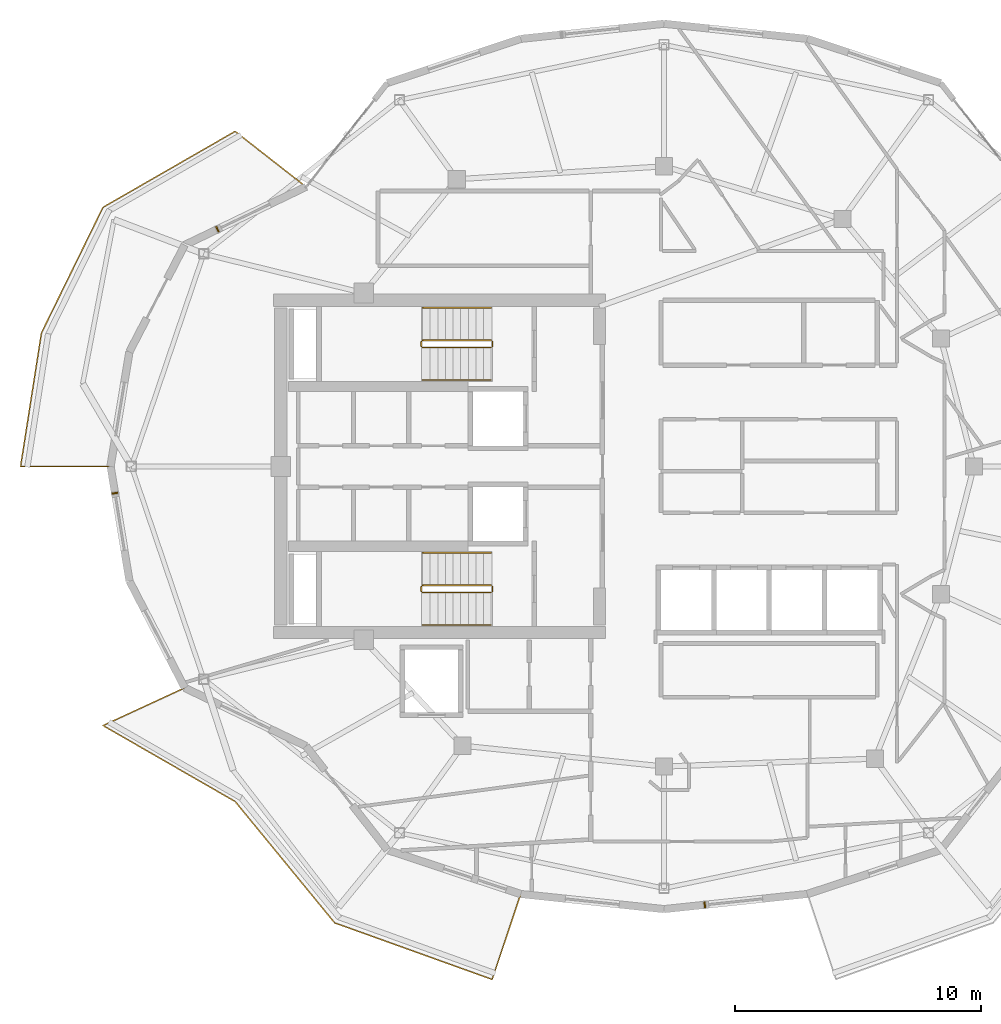
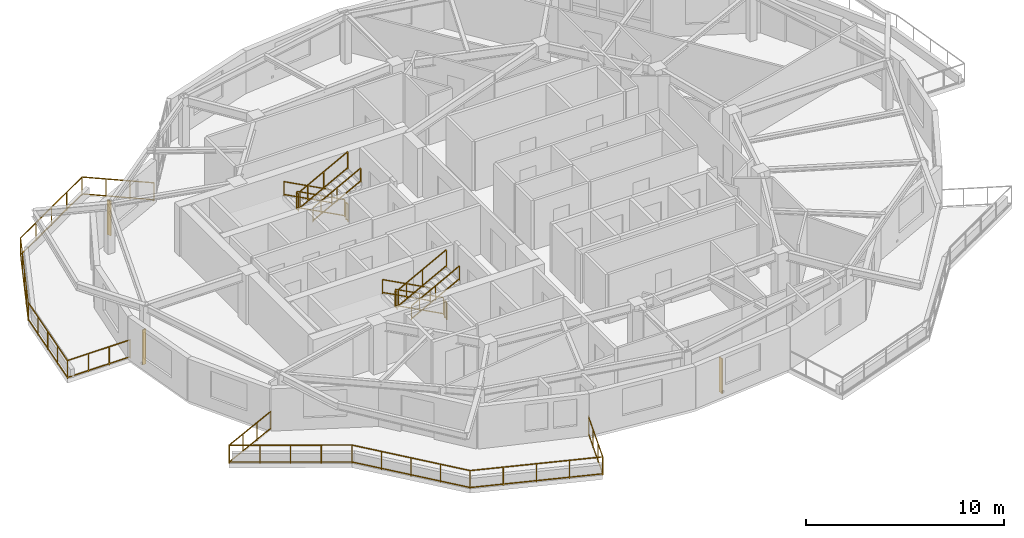
# One storey, part 12 of 14: 14 railings, 3 shading devices.
"""IFC4 building model written with IfcOpenShell, lengths in metres."""

from ifc_helpers import new_model, si_unit, direction, frame, origin, origin_2d, place, context, subcontext, project, spatial, rectangle, extrude, material, type_object, element, save


model = new_model("IFC4")

# Units and contexts
model_context = context("Model", 3, precision=1e-05, world=origin(), true_north=direction((0.0, 1.0)))
body_context = subcontext(model_context, "Body", "Model", "MODEL_VIEW")
ifc_project = project(units=[si_unit("LENGTHUNIT", "METRE"), si_unit("AREAUNIT", "SQUARE_METRE"), si_unit("VOLUMEUNIT", "CUBIC_METRE"), si_unit("PLANEANGLEUNIT", "RADIAN"), si_unit("MASSUNIT", "GRAM", prefix="KILO")], contexts=[model_context])

# Site, building, storey
site_placement = place(None, origin())
site = spatial("IfcSite", under=ifc_project, at=site_placement, CompositionType="ELEMENT")
building_placement = place(site_placement, origin())
building = spatial("IfcBuilding", under=site, at=building_placement, Name="Kolvaren Gate Tower and Convention Centre", CompositionType="ELEMENT")
storey_placement = place(building_placement, frame((0.0, 0.0, 245.89990234375)))
storey = spatial("IfcBuildingStorey", under=building, at=storey_placement, Name="L66", CompositionType="ELEMENT", Elevation=245.89990234375)

# Railings
ifc_material_1 = material(Name="Brushed Stainless Steel Grade 316L", Category="steel")
railing_type_1 = type_object("IfcRailingType", Name="ARCH-RL-GUARD-1150", PredefinedType="GUARDRAIL", material=ifc_material_1)
railing_1_placement = place(storey_placement, frame((23.10009765625, 32.1298828125, 0.1650390625)))
element("IfcRailing", 1, at=railing_1_placement, inside=storey, type_object=railing_type_1, Name="L66 ST-T1 stair guard 1", PredefinedType="GUARDRAIL", context=body_context, shape_type="SweptSolid", body=[
    extrude(rectangle(XDim=0.048095703125, YDim=0.048095703125, at=origin_2d()), frame((0.0, 0.0, 1.076171875), z_axis=(-0.882735390775, 0.0, 0.469870439454), x_axis=(0.0, -1.0, 0.0)), (0.0, 0.0, 1.0), 3.16064453125),
    extrude(rectangle(XDim=0.048095703125, YDim=0.048095703125, at=origin_2d()), frame((0.0, 0.0, 0.083984375), z_axis=(-0.882735390775, 0.0, 0.469870439454), x_axis=(0.0, -1.0, 0.0)), (0.0, 0.0, 1.0), 3.16064453125),
    extrude(rectangle(XDim=0.0419921875, YDim=0.0419921875, at=origin_2d()), origin(), (0.0, 0.0, 1.0), 1.050048828125),
    extrude(rectangle(XDim=0.0419921875, YDim=0.0419921875, at=origin_2d()), frame((-2.7900390625, 0.0, 1.485107421875)), (0.0, 0.0, 1.0), 1.050048828125),
    extrude(rectangle(XDim=0.0419921875, YDim=0.0419921875, at=origin_2d()), frame((-1.39501953125, 0.0, 0.74267578125)), (0.0, 0.0, 1.0), 1.050048828125),
])
railing_2_placement = place(storey_placement, frame((20.260009765625, 32.080078125, 1.650146484375)))
element("IfcRailing", 2, at=railing_2_placement, inside=storey, type_object=railing_type_1, Name="L66 ST-T1 stair guard 2", PredefinedType="GUARDRAIL", context=body_context, shape_type="SweptSolid", body=[
    extrude(rectangle(XDim=0.048095703125, YDim=0.048095703125, at=origin_2d()), frame((0.0, 0.0, 1.076171875), z_axis=(0.0, -1.0, 0.0), x_axis=(1.0, 0.0, 0.0)), (0.0, 0.0, 1.0), 0.2001953125),
    extrude(rectangle(XDim=0.048095703125, YDim=0.048095703125, at=origin_2d()), frame((0.0, 0.0, 0.083984375), z_axis=(0.0, -1.0, 0.0), x_axis=(1.0, 0.0, 0.0)), (0.0, 0.0, 1.0), 0.2001953125),
    extrude(rectangle(XDim=0.0419921875, YDim=0.0419921875, at=origin_2d()), origin(), (0.0, 0.0, 1.0), 1.050048828125),
    extrude(rectangle(XDim=0.0419921875, YDim=0.0419921875, at=origin_2d()), frame((0.0, -0.2001953125, 0.0)), (0.0, 0.0, 1.0), 1.050048828125),
])
railing_3_placement = place(storey_placement, frame((20.31005859375, 31.830078125, 1.815185546875)))
element("IfcRailing", 3, at=railing_3_placement, inside=storey, type_object=railing_type_1, Name="L66 ST-T1 stair guard 3", PredefinedType="GUARDRAIL", context=body_context, shape_type="SweptSolid", body=[
    extrude(rectangle(XDim=0.048095703125, YDim=0.048095703125, at=origin_2d()), frame((0.0, 0.0, 1.076171875), z_axis=(0.882767428149, 0.0, 0.469810246588), x_axis=(0.0, 1.0, 0.0)), (0.0, 0.0, 1.0), 3.16064453125),
    extrude(rectangle(XDim=0.048095703125, YDim=0.048095703125, at=origin_2d()), frame((0.0, 0.0, 0.083984375), z_axis=(0.882767428149, 0.0, 0.469810246588), x_axis=(0.0, 1.0, 0.0)), (0.0, 0.0, 1.0), 3.16064453125),
    extrude(rectangle(XDim=0.0419921875, YDim=0.0419921875, at=origin_2d()), origin(), (0.0, 0.0, 1.0), 1.050048828125),
    extrude(rectangle(XDim=0.0419921875, YDim=0.0419921875, at=origin_2d()), frame((2.7900390625, 0.0, 1.48486328125)), (0.0, 0.0, 1.0), 1.050048828125),
    extrude(rectangle(XDim=0.0419921875, YDim=0.0419921875, at=origin_2d()), frame((1.39501953125, 0.0, 0.742431640625)), (0.0, 0.0, 1.0), 1.050048828125),
])
railing_4_placement = place(storey_placement, frame((23.14990234375, 32.080078125, 0.0)))
element("IfcRailing", 4, at=railing_4_placement, inside=storey, type_object=railing_type_1, Name="L66 ST-T1 stair guard 4", PredefinedType="GUARDRAIL", context=body_context, shape_type="SweptSolid", body=[
    extrude(rectangle(XDim=0.048095703125, YDim=0.048095703125, at=origin_2d()), frame((0.0, 0.0, 1.076171875), z_axis=(0.0, -1.0, 0.0), x_axis=(1.0, 0.0, 0.0)), (0.0, 0.0, 1.0), 0.2001953125),
    extrude(rectangle(XDim=0.048095703125, YDim=0.048095703125, at=origin_2d()), frame((0.0, 0.0, 0.083984375), z_axis=(0.0, -1.0, 0.0), x_axis=(1.0, 0.0, 0.0)), (0.0, 0.0, 1.0), 0.2001953125),
    extrude(rectangle(XDim=0.0419921875, YDim=0.0419921875, at=origin_2d()), origin(), (0.0, 0.0, 1.0), 1.050048828125),
    extrude(rectangle(XDim=0.0419921875, YDim=0.0419921875, at=origin_2d()), frame((0.0, -0.2001953125, 0.0)), (0.0, 0.0, 1.0), 1.050048828125),
])
railing_5_placement = place(storey_placement, frame((23.10009765625, 22.169921875, 0.1650390625)))
element("IfcRailing", 5, at=railing_5_placement, inside=storey, type_object=railing_type_1, Name="L66 ST-T2 stair guard 1", PredefinedType="GUARDRAIL", context=body_context, shape_type="SweptSolid", body=[
    extrude(rectangle(XDim=0.048095703125, YDim=0.048095703125, at=origin_2d()), frame((0.0, 0.0, 1.076171875), z_axis=(-0.882735390775, 0.0, 0.469870439454), x_axis=(0.0, -1.0, 0.0)), (0.0, 0.0, 1.0), 3.16064453125),
    extrude(rectangle(XDim=0.048095703125, YDim=0.048095703125, at=origin_2d()), frame((0.0, 0.0, 0.083984375), z_axis=(-0.882735390775, 0.0, 0.469870439454), x_axis=(0.0, -1.0, 0.0)), (0.0, 0.0, 1.0), 3.16064453125),
    extrude(rectangle(XDim=0.0419921875, YDim=0.0419921875, at=origin_2d()), origin(), (0.0, 0.0, 1.0), 1.050048828125),
    extrude(rectangle(XDim=0.0419921875, YDim=0.0419921875, at=origin_2d()), frame((-2.7900390625, 0.0, 1.485107421875)), (0.0, 0.0, 1.0), 1.050048828125),
    extrude(rectangle(XDim=0.0419921875, YDim=0.0419921875, at=origin_2d()), frame((-1.39501953125, 0.0, 0.74267578125)), (0.0, 0.0, 1.0), 1.050048828125),
])
railing_6_placement = place(storey_placement, frame((20.260009765625, 22.1201171875, 1.650146484375)))
element("IfcRailing", 6, at=railing_6_placement, inside=storey, type_object=railing_type_1, Name="L66 ST-T2 stair guard 2", PredefinedType="GUARDRAIL", context=body_context, shape_type="SweptSolid", body=[
    extrude(rectangle(XDim=0.048095703125, YDim=0.048095703125, at=origin_2d()), frame((0.0, 0.0, 1.076171875), z_axis=(0.0, -1.0, 0.0), x_axis=(1.0, 0.0, 0.0)), (0.0, 0.0, 1.0), 0.2001953125),
    extrude(rectangle(XDim=0.048095703125, YDim=0.048095703125, at=origin_2d()), frame((0.0, 0.0, 0.083984375), z_axis=(0.0, -1.0, 0.0), x_axis=(1.0, 0.0, 0.0)), (0.0, 0.0, 1.0), 0.2001953125),
    extrude(rectangle(XDim=0.0419921875, YDim=0.0419921875, at=origin_2d()), origin(), (0.0, 0.0, 1.0), 1.050048828125),
    extrude(rectangle(XDim=0.0419921875, YDim=0.0419921875, at=origin_2d()), frame((0.0, -0.2001953125, 0.0)), (0.0, 0.0, 1.0), 1.050048828125),
])
railing_7_placement = place(storey_placement, frame((20.31005859375, 21.8701171875, 1.815185546875)))
element("IfcRailing", 7, at=railing_7_placement, inside=storey, type_object=railing_type_1, Name="L66 ST-T2 stair guard 3", PredefinedType="GUARDRAIL", context=body_context, shape_type="SweptSolid", body=[
    extrude(rectangle(XDim=0.048095703125, YDim=0.048095703125, at=origin_2d()), frame((0.0, 0.0, 1.076171875), z_axis=(0.882767428149, 0.0, 0.469810246588), x_axis=(0.0, 1.0, 0.0)), (0.0, 0.0, 1.0), 3.16064453125),
    extrude(rectangle(XDim=0.048095703125, YDim=0.048095703125, at=origin_2d()), frame((0.0, 0.0, 0.083984375), z_axis=(0.882767428149, 0.0, 0.469810246588), x_axis=(0.0, 1.0, 0.0)), (0.0, 0.0, 1.0), 3.16064453125),
    extrude(rectangle(XDim=0.0419921875, YDim=0.0419921875, at=origin_2d()), origin(), (0.0, 0.0, 1.0), 1.050048828125),
    extrude(rectangle(XDim=0.0419921875, YDim=0.0419921875, at=origin_2d()), frame((2.7900390625, 0.0, 1.48486328125)), (0.0, 0.0, 1.0), 1.050048828125),
    extrude(rectangle(XDim=0.0419921875, YDim=0.0419921875, at=origin_2d()), frame((1.39501953125, 0.0, 0.742431640625)), (0.0, 0.0, 1.0), 1.050048828125),
])
railing_8_placement = place(storey_placement, frame((23.14990234375, 22.1201171875, 0.0)))
element("IfcRailing", 8, at=railing_8_placement, inside=storey, type_object=railing_type_1, Name="L66 ST-T2 stair guard 4", PredefinedType="GUARDRAIL", context=body_context, shape_type="SweptSolid", body=[
    extrude(rectangle(XDim=0.048095703125, YDim=0.048095703125, at=origin_2d()), frame((0.0, 0.0, 1.076171875), z_axis=(0.0, -1.0, 0.0), x_axis=(1.0, 0.0, 0.0)), (0.0, 0.0, 1.0), 0.2001953125),
    extrude(rectangle(XDim=0.048095703125, YDim=0.048095703125, at=origin_2d()), frame((0.0, 0.0, 0.083984375), z_axis=(0.0, -1.0, 0.0), x_axis=(1.0, 0.0, 0.0)), (0.0, 0.0, 1.0), 0.2001953125),
    extrude(rectangle(XDim=0.0419921875, YDim=0.0419921875, at=origin_2d()), origin(), (0.0, 0.0, 1.0), 1.050048828125),
    extrude(rectangle(XDim=0.0419921875, YDim=0.0419921875, at=origin_2d()), frame((0.0, -0.2001953125, 0.0)), (0.0, 0.0, 1.0), 1.050048828125),
])
railing_9_placement = place(storey_placement, frame((15.57275390625, 38.370361328125, 0.0)))
element("IfcRailing", 9, at=railing_9_placement, inside=storey, type_object=railing_type_1, Name="Tower L66 Terrace Perimeter Guardrail GR-2", PredefinedType="GUARDRAIL", context=body_context, shape_type="SweptSolid", body=[
    extrude(rectangle(XDim=0.048095703125, YDim=0.048095703125, at=origin_2d()), frame((-0.022216796875, 0.017333984375, 1.1259765625), z_axis=(-0.787988976981, 0.61568934712, 0.0), x_axis=(-0.61568934712, -0.787988976981, 0.0)), (0.0, 0.0, 1.0), 3.60400390625),
    extrude(rectangle(XDim=0.048095703125, YDim=0.048095703125, at=origin_2d()), frame((-0.022216796875, 0.017333984375, 0.083984375), z_axis=(-0.787988976981, 0.61568934712, 0.0), x_axis=(-0.61568934712, -0.787988976981, 0.0)), (0.0, 0.0, 1.0), 3.60400390625),
    extrude(rectangle(XDim=0.048095703125, YDim=0.048095703125, at=origin_2d()), frame((-2.908447265625, 2.239501953125, 1.1259765625), z_axis=(-0.866894385595, -0.498491849706, 0.0), x_axis=(0.498491849706, -0.866894385595, 0.0)), (0.0, 0.0, 1.0), 6.140869140625),
    extrude(rectangle(XDim=0.048095703125, YDim=0.048095703125, at=origin_2d()), frame((-2.908447265625, 2.239501953125, 0.083984375), z_axis=(-0.866894385595, -0.498491849706, 0.0), x_axis=(0.498491849706, -0.866894385595, 0.0)), (0.0, 0.0, 1.0), 6.140869140625),
    extrude(rectangle(XDim=0.048095703125, YDim=0.048095703125, at=origin_2d()), frame((-8.2685546875, -0.86083984375, 1.1259765625), z_axis=(-0.440058847499, -0.897968936399, 0.0), x_axis=(0.897968936399, -0.440058847499, 0.0)), (0.0, 0.0, 1.0), 5.63330078125),
    extrude(rectangle(XDim=0.048095703125, YDim=0.048095703125, at=origin_2d()), frame((-8.2685546875, -0.86083984375, 0.083984375), z_axis=(-0.440058847499, -0.897968936399, 0.0), x_axis=(0.897968936399, -0.440058847499, 0.0)), (0.0, 0.0, 1.0), 5.63330078125),
    extrude(rectangle(XDim=0.048095703125, YDim=0.048095703125, at=origin_2d()), frame((-10.76416015625, -5.972412109375, 1.1259765625), z_axis=(-0.1543985789, -0.988008643097, 0.0), x_axis=(0.988008643097, -0.1543985789, 0.0)), (0.0, 0.0, 1.0), 5.435546875),
    extrude(rectangle(XDim=0.048095703125, YDim=0.048095703125, at=origin_2d()), frame((-10.76416015625, -5.972412109375, 0.083984375), z_axis=(-0.1543985789, -0.988008643097, 0.0), x_axis=(0.988008643097, -0.1543985789, 0.0)), (0.0, 0.0, 1.0), 5.435546875),
    extrude(rectangle(XDim=0.048095703125, YDim=0.048095703125, at=origin_2d()), frame((-11.57958984375, -11.370361328125, 1.1259765625), z_axis=(1.0, 0.0, 0.0), x_axis=(0.0, 1.0, 0.0)), (0.0, 0.0, 1.0), 3.603759765625),
    extrude(rectangle(XDim=0.048095703125, YDim=0.048095703125, at=origin_2d()), frame((-11.57958984375, -11.370361328125, 0.083984375), z_axis=(1.0, 0.0, 0.0), x_axis=(0.0, 1.0, 0.0)), (0.0, 0.0, 1.0), 3.603759765625),
    extrude(rectangle(XDim=0.0419921875, YDim=0.0419921875, at=origin_2d()), origin(), (0.0, 0.0, 1.0), 1.14990234375),
    extrude(rectangle(XDim=0.0419921875, YDim=0.0419921875, at=origin_2d()), frame((-2.884033203125, 2.25341796875, 0.0)), (0.0, 0.0, 1.0), 1.14990234375),
    extrude(rectangle(XDim=0.0419921875, YDim=0.0419921875, at=origin_2d()), frame((-0.96142578125, 0.751220703125, 0.0)), (0.0, 0.0, 1.0), 1.099853515625),
    extrude(rectangle(XDim=0.0419921875, YDim=0.0419921875, at=origin_2d()), frame((-1.922607421875, 1.502197265625, 0.0)), (0.0, 0.0, 1.0), 1.099853515625),
    extrude(rectangle(XDim=0.0419921875, YDim=0.0419921875, at=origin_2d()), frame((-8.256103515625, -0.835693359375, 0.0)), (0.0, 0.0, 1.0), 1.14990234375),
    extrude(rectangle(XDim=0.0419921875, YDim=0.0419921875, at=origin_2d()), frame((-4.22705078125, 1.481201171875, 0.0)), (0.0, 0.0, 1.0), 1.099853515625),
    extrude(rectangle(XDim=0.0419921875, YDim=0.0419921875, at=origin_2d()), frame((-5.570068359375, 0.708984375, 0.0)), (0.0, 0.0, 1.0), 1.099853515625),
    extrude(rectangle(XDim=0.0419921875, YDim=0.0419921875, at=origin_2d()), frame((-6.9130859375, -0.0634765625, 0.0)), (0.0, 0.0, 1.0), 1.099853515625),
    extrude(rectangle(XDim=0.0419921875, YDim=0.0419921875, at=origin_2d()), frame((-10.759765625, -5.944580078125, 0.0)), (0.0, 0.0, 1.0), 1.14990234375),
    extrude(rectangle(XDim=0.0419921875, YDim=0.0419921875, at=origin_2d()), frame((-8.882080078125, -2.11279296875, 0.0)), (0.0, 0.0, 1.0), 1.099853515625),
    extrude(rectangle(XDim=0.0419921875, YDim=0.0419921875, at=origin_2d()), frame((-9.5078125, -3.39013671875, 0.0)), (0.0, 0.0, 1.0), 1.099853515625),
    extrude(rectangle(XDim=0.0419921875, YDim=0.0419921875, at=origin_2d()), frame((-10.1337890625, -4.66748046875, 0.0)), (0.0, 0.0, 1.0), 1.099853515625),
    extrude(rectangle(XDim=0.0419921875, YDim=0.0419921875, at=origin_2d()), frame((-11.607666015625, -11.370361328125, 0.0)), (0.0, 0.0, 1.0), 1.14990234375),
    extrude(rectangle(XDim=0.0419921875, YDim=0.0419921875, at=origin_2d()), frame((-10.9716796875, -7.301025390625, 0.0)), (0.0, 0.0, 1.0), 1.099853515625),
    extrude(rectangle(XDim=0.0419921875, YDim=0.0419921875, at=origin_2d()), frame((-11.18359375, -8.657470703125, 0.0)), (0.0, 0.0, 1.0), 1.099853515625),
    extrude(rectangle(XDim=0.0419921875, YDim=0.0419921875, at=origin_2d()), frame((-11.395751953125, -10.013916015625, 0.0)), (0.0, 0.0, 1.0), 1.099853515625),
    extrude(rectangle(XDim=0.0419921875, YDim=0.0419921875, at=origin_2d()), frame((-7.94775390625, -11.370361328125, 0.0)), (0.0, 0.0, 1.0), 1.14990234375),
    extrude(rectangle(XDim=0.0419921875, YDim=0.0419921875, at=origin_2d()), frame((-10.3876953125, -11.370361328125, 0.0)), (0.0, 0.0, 1.0), 1.099853515625),
    extrude(rectangle(XDim=0.0419921875, YDim=0.0419921875, at=origin_2d()), frame((-9.167724609375, -11.370361328125, 0.0)), (0.0, 0.0, 1.0), 1.099853515625),
])
railing_10_placement = place(storey_placement, frame((10.639404296875, 18.0, 0.0)))
element("IfcRailing", 10, at=railing_10_placement, inside=storey, type_object=railing_type_1, Name="Tower L66 Terrace Perimeter Guardrail GR-3", PredefinedType="GUARDRAIL", context=body_context, shape_type="SweptSolid", body=[
    extrude(rectangle(XDim=0.048095703125, YDim=0.048095703125, at=origin_2d()), frame((-0.025390625, -0.01171875, 1.1259765625), z_axis=(-0.907846116663, -0.419303503993, 0.0), x_axis=(0.419303503993, -0.907846116663, 0.0)), (0.0, 0.0, 1.0), 3.60400390625),
    extrude(rectangle(XDim=0.048095703125, YDim=0.048095703125, at=origin_2d()), frame((-0.025390625, -0.01171875, 0.083984375), z_axis=(-0.907846116663, -0.419303503993, 0.0), x_axis=(0.419303503993, -0.907846116663, 0.0)), (0.0, 0.0, 1.0), 3.60400390625),
    extrude(rectangle(XDim=0.048095703125, YDim=0.048095703125, at=origin_2d()), frame((-3.29833984375, -1.548583984375, 1.1259765625), z_axis=(0.866894385595, -0.498491849706, 0.0), x_axis=(0.498491849706, 0.866894385595, 0.0)), (0.0, 0.0, 1.0), 6.140869140625),
    extrude(rectangle(XDim=0.048095703125, YDim=0.048095703125, at=origin_2d()), frame((-3.29833984375, -1.548583984375, 0.083984375), z_axis=(0.866894385595, -0.498491849706, 0.0), x_axis=(0.498491849706, 0.866894385595, 0.0)), (0.0, 0.0, 1.0), 6.140869140625),
    extrude(rectangle(XDim=0.048095703125, YDim=0.048095703125, at=origin_2d()), frame((2.067138671875, -4.6455078125, 1.1259765625), z_axis=(0.634050293942, -0.773291810866, 0.0), x_axis=(0.773291810866, 0.634050293942, 0.0)), (0.0, 0.0, 1.0), 6.322509765625),
    extrude(rectangle(XDim=0.048095703125, YDim=0.048095703125, at=origin_2d()), frame((2.067138671875, -4.6455078125, 0.083984375), z_axis=(0.634050293942, -0.773291810866, 0.0), x_axis=(0.773291810866, 0.634050293942, 0.0)), (0.0, 0.0, 1.0), 6.322509765625),
    extrude(rectangle(XDim=0.048095703125, YDim=0.048095703125, at=origin_2d()), frame((6.1201171875, -9.56591796875, 1.1259765625), z_axis=(0.941139090914, -0.338019543152, 0.0), x_axis=(0.338019543152, 0.941139090914, 0.0)), (0.0, 0.0, 1.0), 6.75048828125),
    extrude(rectangle(XDim=0.048095703125, YDim=0.048095703125, at=origin_2d()), frame((6.1201171875, -9.56591796875, 0.083984375), z_axis=(0.941139090914, -0.338019543152, 0.0), x_axis=(0.338019543152, 0.941139090914, 0.0)), (0.0, 0.0, 1.0), 6.75048828125),
    extrude(rectangle(XDim=0.048095703125, YDim=0.048095703125, at=origin_2d()), frame((12.508544921875, -11.83056640625, 1.1259765625), z_axis=(0.317588247294, 0.948228719867, 0.0), x_axis=(-0.948228719867, 0.317588247294, 0.0)), (0.0, 0.0, 1.0), 3.603759765625),
    extrude(rectangle(XDim=0.048095703125, YDim=0.048095703125, at=origin_2d()), frame((12.508544921875, -11.83056640625, 0.083984375), z_axis=(0.317588247294, 0.948228719867, 0.0), x_axis=(-0.948228719867, 0.317588247294, 0.0)), (0.0, 0.0, 1.0), 3.603759765625),
    extrude(rectangle(XDim=0.0419921875, YDim=0.0419921875, at=origin_2d()), origin(), (0.0, 0.0, 1.0), 1.14990234375),
    extrude(rectangle(XDim=0.0419921875, YDim=0.0419921875, at=origin_2d()), frame((-3.32275390625, -1.53466796875, 0.0)), (0.0, 0.0, 1.0), 1.14990234375),
    extrude(rectangle(XDim=0.0419921875, YDim=0.0419921875, at=origin_2d()), frame((-1.107666015625, -0.511474609375, 0.0)), (0.0, 0.0, 1.0), 1.099853515625),
    extrude(rectangle(XDim=0.0419921875, YDim=0.0419921875, at=origin_2d()), frame((-2.215087890625, -1.023193359375, 0.0)), (0.0, 0.0, 1.0), 1.099853515625),
    extrude(rectangle(XDim=0.0419921875, YDim=0.0419921875, at=origin_2d()), frame((2.04931640625, -4.623779296875, 0.0)), (0.0, 0.0, 1.0), 1.14990234375),
    extrude(rectangle(XDim=0.0419921875, YDim=0.0419921875, at=origin_2d()), frame((-1.979736328125, -2.306884765625, 0.0)), (0.0, 0.0, 1.0), 1.099853515625),
    extrude(rectangle(XDim=0.0419921875, YDim=0.0419921875, at=origin_2d()), frame((-0.63671875, -3.0791015625, 0.0)), (0.0, 0.0, 1.0), 1.099853515625),
    extrude(rectangle(XDim=0.0419921875, YDim=0.0419921875, at=origin_2d()), frame((0.706298828125, -3.8515625, 0.0)), (0.0, 0.0, 1.0), 1.099853515625),
    extrude(rectangle(XDim=0.0419921875, YDim=0.0419921875, at=origin_2d()), frame((6.09375, -9.556396484375, 0.0)), (0.0, 0.0, 1.0), 1.14990234375),
    extrude(rectangle(XDim=0.0419921875, YDim=0.0419921875, at=origin_2d()), frame((3.060546875, -5.85693359375, 0.0)), (0.0, 0.0, 1.0), 1.099853515625),
    extrude(rectangle(XDim=0.0419921875, YDim=0.0419921875, at=origin_2d()), frame((4.071533203125, -7.090087890625, 0.0)), (0.0, 0.0, 1.0), 1.099853515625),
    extrude(rectangle(XDim=0.0419921875, YDim=0.0419921875, at=origin_2d()), frame((5.08251953125, -8.3232421875, 0.0)), (0.0, 0.0, 1.0), 1.099853515625),
    extrude(rectangle(XDim=0.0419921875, YDim=0.0419921875, at=origin_2d()), frame((12.499755859375, -11.857177734375, 0.0)), (0.0, 0.0, 1.0), 1.14990234375),
    extrude(rectangle(XDim=0.0419921875, YDim=0.0419921875, at=origin_2d()), frame((7.6953125, -10.131591796875, 0.0)), (0.0, 0.0, 1.0), 1.099853515625),
    extrude(rectangle(XDim=0.0419921875, YDim=0.0419921875, at=origin_2d()), frame((9.296875, -10.706787109375, 0.0)), (0.0, 0.0, 1.0), 1.099853515625),
    extrude(rectangle(XDim=0.0419921875, YDim=0.0419921875, at=origin_2d()), frame((10.898193359375, -11.281982421875, 0.0)), (0.0, 0.0, 1.0), 1.099853515625),
    extrude(rectangle(XDim=0.0419921875, YDim=0.0419921875, at=origin_2d()), frame((13.662109375, -8.38671875, 0.0)), (0.0, 0.0, 1.0), 1.14990234375),
    extrude(rectangle(XDim=0.0419921875, YDim=0.0419921875, at=origin_2d()), frame((12.88720703125, -10.700439453125, 0.0)), (0.0, 0.0, 1.0), 1.099853515625),
    extrude(rectangle(XDim=0.0419921875, YDim=0.0419921875, at=origin_2d()), frame((13.274658203125, -9.54345703125, 0.0)), (0.0, 0.0, 1.0), 1.099853515625),
])
railing_type_2 = type_object("IfcRailingType", Name="ARCH-RL-HANDRAIL-920", PredefinedType="HANDRAIL", material=ifc_material_1)
railing_11_placement = place(storey_placement, frame((23.10009765625, 33.449951171875, 0.1650390625)))
element("IfcRailing", 11, at=railing_11_placement, inside=storey, type_object=railing_type_2, Name="L66 ST-T1 stair handrail 1", PredefinedType="HANDRAIL", context=body_context, shape_type="SweptSolid", body=[
    extrude(rectangle(XDim=0.048095703125, YDim=0.048095703125, at=origin_2d()), frame((0.0, 0.0, 0.8759765625), z_axis=(-0.882735390775, 0.0, 0.469870439454), x_axis=(0.0, -1.0, 0.0)), (0.0, 0.0, 1.0), 3.16064453125),
    extrude(rectangle(XDim=0.048095703125, YDim=0.048095703125, at=origin_2d()), frame((0.0, 0.0, 0.083984375), z_axis=(-0.882735390775, 0.0, 0.469870439454), x_axis=(0.0, -1.0, 0.0)), (0.0, 0.0, 1.0), 3.16064453125),
    extrude(rectangle(XDim=0.0419921875, YDim=0.0419921875, at=origin_2d()), origin(), (0.0, 0.0, 1.0), 0.849853515625),
    extrude(rectangle(XDim=0.0419921875, YDim=0.0419921875, at=origin_2d()), frame((-2.7900390625, 0.0, 1.485107421875)), (0.0, 0.0, 1.0), 0.849853515625),
    extrude(rectangle(XDim=0.0419921875, YDim=0.0419921875, at=origin_2d()), frame((-1.39501953125, 0.0, 0.74267578125)), (0.0, 0.0, 1.0), 0.849853515625),
])
railing_12_placement = place(storey_placement, frame((20.31005859375, 30.510009765625, 1.815185546875)))
element("IfcRailing", 12, at=railing_12_placement, inside=storey, type_object=railing_type_2, Name="L66 ST-T1 stair handrail 2", PredefinedType="HANDRAIL", context=body_context, shape_type="SweptSolid", body=[
    extrude(rectangle(XDim=0.048095703125, YDim=0.048095703125, at=origin_2d()), frame((0.0, 0.0, 0.8759765625), z_axis=(0.882767428149, 0.0, 0.469810246588), x_axis=(0.0, 1.0, 0.0)), (0.0, 0.0, 1.0), 3.16064453125),
    extrude(rectangle(XDim=0.048095703125, YDim=0.048095703125, at=origin_2d()), frame((0.0, 0.0, 0.083984375), z_axis=(0.882767428149, 0.0, 0.469810246588), x_axis=(0.0, 1.0, 0.0)), (0.0, 0.0, 1.0), 3.16064453125),
    extrude(rectangle(XDim=0.0419921875, YDim=0.0419921875, at=origin_2d()), origin(), (0.0, 0.0, 1.0), 0.849853515625),
    extrude(rectangle(XDim=0.0419921875, YDim=0.0419921875, at=origin_2d()), frame((2.7900390625, 0.0, 1.48486328125)), (0.0, 0.0, 1.0), 0.849853515625),
    extrude(rectangle(XDim=0.0419921875, YDim=0.0419921875, at=origin_2d()), frame((1.39501953125, 0.0, 0.742431640625)), (0.0, 0.0, 1.0), 0.849853515625),
])
railing_13_placement = place(storey_placement, frame((23.10009765625, 23.489990234375, 0.1650390625)))
element("IfcRailing", 13, at=railing_13_placement, inside=storey, type_object=railing_type_2, Name="L66 ST-T2 stair handrail 1", PredefinedType="HANDRAIL", context=body_context, shape_type="SweptSolid", body=[
    extrude(rectangle(XDim=0.048095703125, YDim=0.048095703125, at=origin_2d()), frame((0.0, 0.0, 0.8759765625), z_axis=(-0.882735390775, 0.0, 0.469870439454), x_axis=(0.0, -1.0, 0.0)), (0.0, 0.0, 1.0), 3.16064453125),
    extrude(rectangle(XDim=0.048095703125, YDim=0.048095703125, at=origin_2d()), frame((0.0, 0.0, 0.083984375), z_axis=(-0.882735390775, 0.0, 0.469870439454), x_axis=(0.0, -1.0, 0.0)), (0.0, 0.0, 1.0), 3.16064453125),
    extrude(rectangle(XDim=0.0419921875, YDim=0.0419921875, at=origin_2d()), origin(), (0.0, 0.0, 1.0), 0.849853515625),
    extrude(rectangle(XDim=0.0419921875, YDim=0.0419921875, at=origin_2d()), frame((-2.7900390625, 0.0, 1.485107421875)), (0.0, 0.0, 1.0), 0.849853515625),
    extrude(rectangle(XDim=0.0419921875, YDim=0.0419921875, at=origin_2d()), frame((-1.39501953125, 0.0, 0.74267578125)), (0.0, 0.0, 1.0), 0.849853515625),
])
railing_14_placement = place(storey_placement, frame((20.31005859375, 20.550048828125, 1.815185546875)))
element("IfcRailing", 14, at=railing_14_placement, inside=storey, type_object=railing_type_2, Name="L66 ST-T2 stair handrail 2", PredefinedType="HANDRAIL", context=body_context, shape_type="SweptSolid", body=[
    extrude(rectangle(XDim=0.048095703125, YDim=0.048095703125, at=origin_2d()), frame((0.0, 0.0, 0.8759765625), z_axis=(0.882767428149, 0.0, 0.469810246588), x_axis=(0.0, 1.0, 0.0)), (0.0, 0.0, 1.0), 3.16064453125),
    extrude(rectangle(XDim=0.048095703125, YDim=0.048095703125, at=origin_2d()), frame((0.0, 0.0, 0.083984375), z_axis=(0.882767428149, 0.0, 0.469810246588), x_axis=(0.0, 1.0, 0.0)), (0.0, 0.0, 1.0), 3.16064453125),
    extrude(rectangle(XDim=0.0419921875, YDim=0.0419921875, at=origin_2d()), origin(), (0.0, 0.0, 1.0), 0.849853515625),
    extrude(rectangle(XDim=0.0419921875, YDim=0.0419921875, at=origin_2d()), frame((2.7900390625, 0.0, 1.48486328125)), (0.0, 0.0, 1.0), 0.849853515625),
    extrude(rectangle(XDim=0.0419921875, YDim=0.0419921875, at=origin_2d()), frame((1.39501953125, 0.0, 0.742431640625)), (0.0, 0.0, 1.0), 0.849853515625),
])

# Shading devices
ifc_material_2 = material(Name="Kiln-Fired Bogota Terracotta Ceramic Louvre Profile", Category="masonry")
shading_device_type = type_object("IfcShadingDeviceType", Name="ARCH-SHD-FIN-180", PredefinedType="JALOUSIE", material=ifc_material_2)
for number, where, z_axis, x_axis, name in (
    (15, (11.970703125, 36.6396484375, 0.22021484375), (0.0, 0.0, 1.0), (0.901357634097, 0.433075530889, 0.0), "Ceramic Vertical Brise-Soleil Fin FN-L66-09"),
    (16, (7.8037109375, 25.91357421875, 0.22021484375), (0.0, 0.0, 1.0), (0.162389178836, -0.986726788223, 0.0), "Ceramic Vertical Brise-Soleil Fin FN-L66-12"),
    (17, (31.78369140625, 9.1748046875, 0.22021484375), (0.0, 0.0, 1.0), (0.994499981166, 0.104736753152, 0.0), "Ceramic Vertical Brise-Soleil Fin FN-L66-18"),
):
    element("IfcShadingDevice", number, at=place(storey_placement, frame(where, z_axis=z_axis, x_axis=x_axis)), inside=storey, type_object=shading_device_type, Name=name, PredefinedType="JALOUSIE", context=body_context, shape_type="SweptSolid", body=[
        extrude(rectangle(XDim=0.06005859375, YDim=0.239990234375, at=origin_2d()), origin(), (0.0, 0.0, 1.0), 2.14990234375),
    ])

save(model, "model.ifc")
